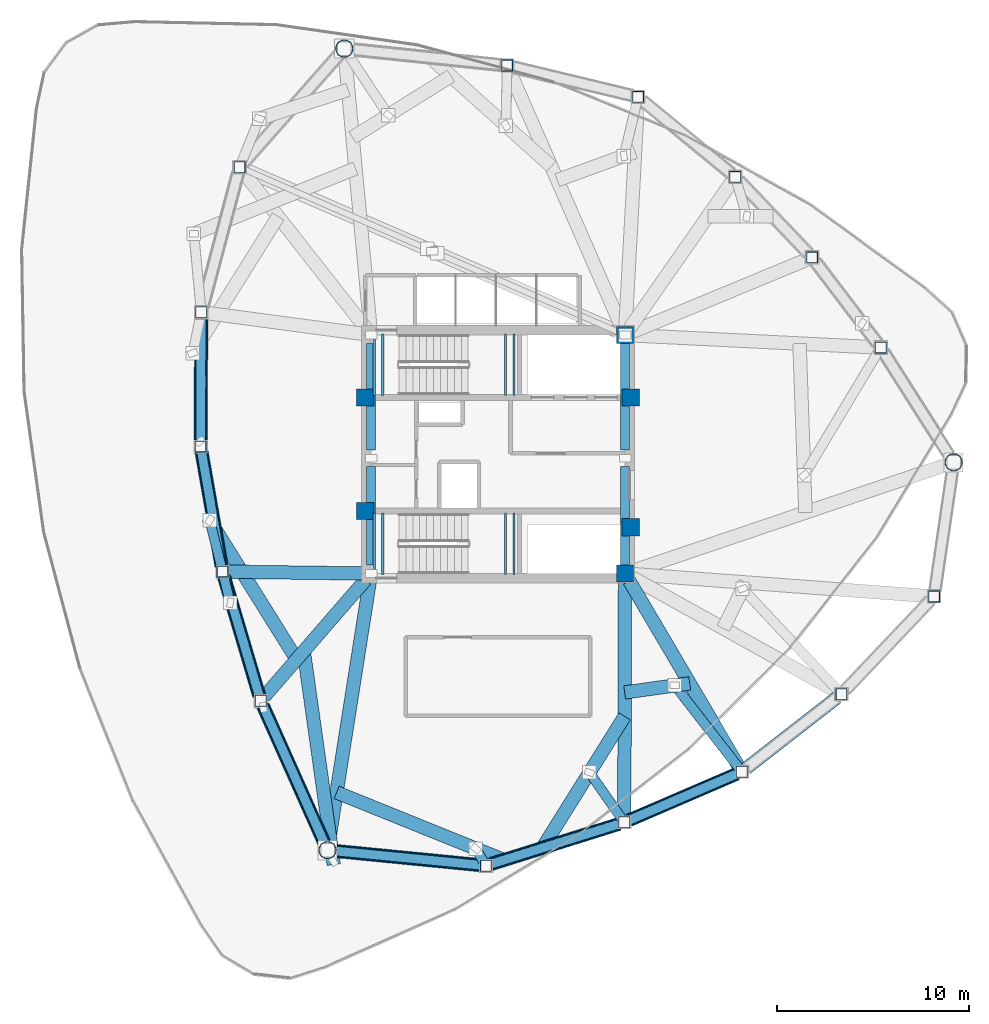
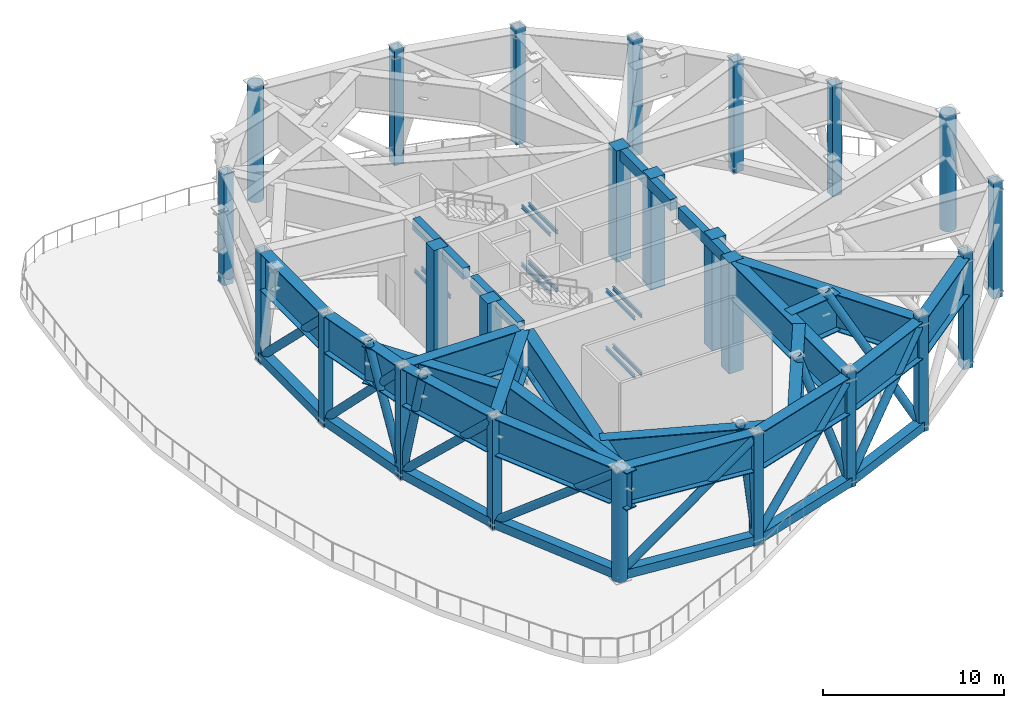
# One storey, part 1 of 8: 34 beams, 24 columns, 19 members.
"""IFC4 building model written with IfcOpenShell, lengths in metres."""

from ifc_helpers import new_model, si_unit, direction, frame, origin, origin_2d, place, context, subcontext, project, spatial, rectangle, hollow_rectangle, hollow_circle, i_section, extrude, material, material_profile, profile_set, type_object, element, save


model = new_model("IFC4")

# Units and contexts
model_context = context("Model", 3, precision=1e-05, world=origin(), true_north=direction((0.0, 1.0)))
body_context = subcontext(model_context, "Body", "Model", "MODEL_VIEW")
ifc_project = project(units=[si_unit("LENGTHUNIT", "METRE"), si_unit("AREAUNIT", "SQUARE_METRE"), si_unit("VOLUMEUNIT", "CUBIC_METRE"), si_unit("PLANEANGLEUNIT", "RADIAN"), si_unit("MASSUNIT", "GRAM", prefix="KILO")], contexts=[model_context])

# Site, building, storey
site_placement = place(None, origin())
site = spatial("IfcSite", under=ifc_project, at=site_placement, CompositionType="ELEMENT")
building_placement = place(site_placement, origin())
building = spatial("IfcBuilding", under=site, at=building_placement, Name="Tavelor Broadcast Tower", CompositionType="ELEMENT")
storey_placement = place(building_placement, frame((0.0, 0.0, 209.14990234375)))
storey = spatial("IfcBuildingStorey", under=building, at=storey_placement, Name="L50", CompositionType="ELEMENT", Elevation=209.14990234375)

# Columns
ifc_material_1 = material(Name="Concrete C50/60", Category="concrete")
ifc_material_profile_1 = material_profile(ifc_material_1, rectangle(XDim=0.89990234375, YDim=0.89990234375, at=origin_2d()), Name="RC 900x900")
ifc_profile_set_1 = profile_set([ifc_material_profile_1], Name="Concrete C50/60")
column_type_1 = type_object("IfcColumnType", Name="Core Embedded Composite Column RC900", PredefinedType="COLUMN", material=ifc_profile_set_1)
for number, where, z_axis, x_axis, name in (
    (1, (43.10009765625, 47.949951171875, 0.0), (0.0, 0.0, 1.0), (1.0, 0.0, 0.0), "L50 Core Embedded Column 1"),
    (2, (56.89990234375, 47.949951171875, 0.0), (0.0, 0.0, 1.0), (1.0, 0.0, 0.0), "L50 Core Embedded Column 2"),
    (3, (56.60009765625, 51.199951171875, 0.0), (0.0, 0.0, 1.0), (1.0, 0.0, 0.0), "L50 Core Embedded Column 3"),
    (4, (43.10009765625, 42.050048828125, 0.0), (0.0, 0.0, 1.0), (1.0, 0.0, 0.0), "L50 Core Embedded Column 4"),
    (5, (56.89990234375, 41.199951171875, 0.0), (0.0, 0.0, 1.0), (1.0, 0.0, 0.0), "L50 Core Embedded Column 5"),
    (6, (56.60009765625, 38.800048828125, 0.0), (0.0, 0.0, 1.0), (1.0, 0.0, 0.0), "L50 Core Embedded Column 6"),
):
    element("IfcColumn", number, at=place(storey_placement, frame(where, z_axis=z_axis, x_axis=x_axis)), inside=storey, type_object=column_type_1, Name=name, PredefinedType="COLUMN", context=body_context, shape_type="SweptSolid", body=[
        extrude(rectangle(XDim=0.89990234375, YDim=0.89990234375, at=origin_2d()), origin(), (0.0, 0.0, 1.0), 7.5),
    ])
ifc_material_2 = material(Name="Steel S460", Category="steel")
ifc_material_profile_2 = material_profile(ifc_material_2, hollow_rectangle(XDim=0.60009765625, YDim=0.60009765625, WallThickness=0.035888671875, at=origin_2d()), Name="SHS 600x600x36")
ifc_profile_set_2 = profile_set([ifc_material_profile_2], Name="Steel S460")
column_type_2 = type_object("IfcColumnType", Name="Perimeter Tube Column T4 SHS 600x600x36", PredefinedType="COLUMN", material=ifc_profile_set_2)
for number, where, z_axis, x_axis, name in (
    (7, (36.567626953125, 59.91064453125, 0.0), (0.0, 0.0, 1.0), (1.0, 0.0, 0.0), "L50 Perimeter Framed-Tube Column 02"),
    (8, (34.5751953125, 52.37939453125, 0.0), (0.0, 0.0, 1.0), (1.0, 0.0, 0.0), "L50 Perimeter Framed-Tube Column 03"),
    (9, (34.54638671875, 45.399169921875, 0.0), (0.0, 0.0, 1.0), (1.0, 0.0, 0.0), "L50 Perimeter Framed-Tube Column 04"),
    (10, (35.680908203125, 38.89990234375, 0.0), (0.0, 0.0, 1.0), (1.0, 0.0, 0.0), "L50 Perimeter Framed-Tube Column 05"),
    (11, (37.668212890625, 32.1904296875, 0.0), (0.0, 0.0, 1.0), (1.0, 0.0, 0.0), "L50 Perimeter Framed-Tube Column 06"),
    (12, (49.366455078125, 23.618896484375, 0.0), (0.0, 0.0, 1.0), (1.0, 0.0, 0.0), "L50 Perimeter Framed-Tube Column 08"),
):
    element("IfcColumn", number, at=place(storey_placement, frame(where, z_axis=z_axis, x_axis=x_axis)), inside=storey, type_object=column_type_2, Name=name, PredefinedType="COLUMN", context=body_context, shape_type="SweptSolid", body=[
        extrude(hollow_rectangle(XDim=0.60009765625, YDim=0.60009765625, WallThickness=0.035888671875, at=origin_2d()), origin(), (0.0, 0.0, 1.0), 7.5),
    ])
for number, where, z_axis, x_axis, name in (
    (13, (56.56103515625, 25.872802734375, 0.0), (0.0, 0.0, 1.0), (1.0, 0.0, 0.0), "L50 Perimeter Framed-Tube Column 09"),
    (14, (62.669189453125, 28.503173828125, 0.0), (0.0, 0.0, 1.0), (1.0, 0.0, 0.0), "L50 Perimeter Framed-Tube Column 10"),
    (15, (67.84228515625, 32.53173828125, 0.0), (0.0, 0.0, 1.0), (1.0, 0.0, 0.0), "L50 Perimeter Framed-Tube Column 11"),
    (16, (72.6591796875, 37.607421875, 0.0), (0.0, 0.0, 1.0), (1.0, 0.0, 0.0), "L50 Perimeter Framed-Tube Column 12"),
):
    element("IfcColumn", number, at=place(storey_placement, frame(where, z_axis=z_axis, x_axis=x_axis)), inside=storey, type_object=column_type_2, Name=name, PredefinedType="COLUMN", context=body_context, shape_type="SweptSolid", body=[
        extrude(hollow_rectangle(XDim=0.60009765625, YDim=0.60009765625, WallThickness=0.035888671875, at=origin_2d()), origin(), (0.0, 0.0, 1.0), 7.800048828125),
    ])
for number, where, z_axis, x_axis, name in (
    (17, (69.885986328125, 50.544189453125, 0.0), (0.0, 0.0, 1.0), (1.0, 0.0, 0.0), "L50 Perimeter Framed-Tube Column 14"),
    (18, (66.322021484375, 55.228759765625, 0.0), (0.0, 0.0, 1.0), (1.0, 0.0, 0.0), "L50 Perimeter Framed-Tube Column 15"),
):
    element("IfcColumn", number, at=place(storey_placement, frame(where, z_axis=z_axis, x_axis=x_axis)), inside=storey, type_object=column_type_2, Name=name, PredefinedType="COLUMN", context=body_context, shape_type="SweptSolid", body=[
        extrude(hollow_rectangle(XDim=0.60009765625, YDim=0.60009765625, WallThickness=0.035888671875, at=origin_2d()), origin(), (0.0, 0.0, 1.0), 7.5),
    ])
for number, where, z_axis, x_axis, name in (
    (19, (62.330810546875, 59.416259765625, 0.0), (0.0, 0.0, 1.0), (1.0, 0.0, 0.0), "L50 Perimeter Framed-Tube Column 16"),
    (20, (57.276611328125, 63.568359375, 0.0), (0.0, 0.0, 1.0), (1.0, 0.0, 0.0), "L50 Perimeter Framed-Tube Column 17"),
    (21, (50.472412109375, 65.2021484375, 0.0), (0.0, 0.0, 1.0), (1.0, 0.0, 0.0), "L50 Perimeter Framed-Tube Column 18"),
):
    element("IfcColumn", number, at=place(storey_placement, frame(where, z_axis=z_axis, x_axis=x_axis)), inside=storey, type_object=column_type_2, Name=name, PredefinedType="COLUMN", context=body_context, shape_type="SweptSolid", body=[
        extrude(hollow_rectangle(XDim=0.60009765625, YDim=0.60009765625, WallThickness=0.035888671875, at=origin_2d()), origin(), (0.0, 0.0, 1.0), 7.800048828125),
    ])
ifc_material_profile_3 = material_profile(ifc_material_2, hollow_circle(Radius=0.45703125, WallThickness=0.0400390625, at=origin_2d()), Name="CHS 914x40")
ifc_profile_set_3 = profile_set([ifc_material_profile_3], Name="Steel S460")
column_type_3 = type_object("IfcColumnType", Name="Tower Mega Column T4 CHS 914x40", PredefinedType="COLUMN", material=ifc_profile_set_3)
column_1_placement = place(storey_placement, frame((42.01123046875, 66.080078125, 0.0), z_axis=(0.0, 0.0, 1.0), x_axis=(1.0, 0.0, 0.0)))
element("IfcColumn", 22, at=column_1_placement, inside=storey, type_object=column_type_3, Name="L50 Tower Corner Mega Column 01", PredefinedType="COLUMN", context=body_context, shape_type="SweptSolid", body=[
    extrude(hollow_circle(Radius=0.45703125, WallThickness=0.0400390625, at=origin_2d()), origin(), (0.0, 0.0, 1.0), 7.800048828125),
])
column_2_placement = place(storey_placement, frame((41.138671875, 24.423828125, 0.0), z_axis=(0.0, 0.0, 1.0), x_axis=(1.0, 0.0, 0.0)))
element("IfcColumn", 23, at=column_2_placement, inside=storey, type_object=column_type_3, Name="L50 Tower Corner Mega Column 07", PredefinedType="COLUMN", context=body_context, shape_type="SweptSolid", body=[
    extrude(hollow_circle(Radius=0.45703125, WallThickness=0.0400390625, at=origin_2d()), origin(), (0.0, 0.0, 1.0), 7.5),
])
column_3_placement = place(storey_placement, frame((73.676025390625, 44.57958984375, 0.0), z_axis=(0.0, 0.0, 1.0), x_axis=(1.0, 0.0, 0.0)))
element("IfcColumn", 24, at=column_3_placement, inside=storey, type_object=column_type_3, Name="L50 Tower Corner Mega Column 13", PredefinedType="COLUMN", context=body_context, shape_type="SweptSolid", body=[
    extrude(hollow_circle(Radius=0.45703125, WallThickness=0.0400390625, at=origin_2d()), origin(), (0.0, 0.0, 1.0), 7.800048828125),
])

# Beams
ifc_material_3 = material(Name="Concrete C40/50", Category="concrete")
ifc_material_profile_4 = material_profile(ifc_material_3, rectangle(XDim=0.449951171875, YDim=0.75, at=origin_2d()), Name="RC 450x750")
ifc_profile_set_4 = profile_set([ifc_material_profile_4], Name="Concrete C40/50")
beam_type_1 = type_object("IfcBeamType", Name="Basement Core Trim Beam 450x750", PredefinedType="BEAM", material=ifc_profile_set_4)
for number, where, z_axis, x_axis, name in (
    (25, (43.39990234375, 45.23193359375, 7.125), (0.0, 1.0, 0.0), (-1.0, 0.0, 0.0), "L50 Core West-N Tie Girder"),
    (26, (56.60009765625, 45.23193359375, 7.125), (0.0, 1.0, 0.0), (-1.0, 0.0, 0.0), "L50 Core East-N Tie Girder"),
):
    element("IfcBeam", number, at=place(storey_placement, frame(where, z_axis=z_axis, x_axis=x_axis)), inside=storey, type_object=beam_type_1, Name=name, PredefinedType="BEAM", context=body_context, shape_type="SweptSolid", body=[
        extrude(rectangle(XDim=0.449951171875, YDim=0.75, at=origin_2d()), origin(), (0.0, 0.0, 1.0), 5.5361328125),
    ])
for number, where, z_axis, x_axis, name in (
    (27, (43.39990234375, 39.23193359375, 7.125), (0.0, 1.0, 0.0), (-1.0, 0.0, 0.0), "L50 Core West-S Tie Girder"),
    (28, (56.60009765625, 39.23193359375, 7.125), (0.0, 1.0, 0.0), (-1.0, 0.0, 0.0), "L50 Core East-S Tie Girder"),
):
    element("IfcBeam", number, at=place(storey_placement, frame(where, z_axis=z_axis, x_axis=x_axis)), inside=storey, type_object=beam_type_1, Name=name, PredefinedType="BEAM", context=body_context, shape_type="SweptSolid", body=[
        extrude(rectangle(XDim=0.449951171875, YDim=0.75, at=origin_2d()), origin(), (0.0, 0.0, 1.0), 5.135986328125),
    ])
ifc_material_profile_5 = material_profile(ifc_material_2, i_section(OverallWidth=0.699951171875, OverallDepth=2.5, WebThickness=0.031982421875, FlangeThickness=0.052001953125, at=origin_2d()), Name="PG 2500x700")
ifc_profile_set_5 = profile_set([ifc_material_profile_5], Name="Steel S460")
beam_type_2 = type_object("IfcBeamType", Name="Opposite Slide Transfer Girder HEB900", PredefinedType="BEAM", material=ifc_profile_set_5)
beam_1_placement = place(storey_placement, frame((34.573974609375, 52.09130859375, 6.25), z_axis=(-0.004117073981, -0.999991524815, 0.0), x_axis=(0.999991524815, -0.004117073981, 0.0)))
element("IfcBeam", 29, at=beam_1_placement, inside=storey, type_object=beam_type_2, Name="L50 Framed-Tube Ring Spandrel 03", PredefinedType="BEAM", context=body_context, shape_type="SweptSolid", body=[
    extrude(i_section(OverallWidth=0.699951171875, OverallDepth=2.5, WebThickness=0.031982421875, FlangeThickness=0.052001953125, at=origin_2d()), origin(), (0.0, 0.0, 1.0), 6.404296875),
])
beam_2_placement = place(storey_placement, frame((34.595947265625, 45.115478515625, 6.25), z_axis=(0.171987908601, -0.985099060651, 0.0), x_axis=(0.985099060651, 0.171987908601, 0.0)))
element("IfcBeam", 30, at=beam_2_placement, inside=storey, type_object=beam_type_2, Name="L50 Framed-Tube Ring Spandrel 04", PredefinedType="BEAM", context=body_context, shape_type="SweptSolid", body=[
    extrude(i_section(OverallWidth=0.699951171875, OverallDepth=2.5, WebThickness=0.031982421875, FlangeThickness=0.052001953125, at=origin_2d()), origin(), (0.0, 0.0, 1.0), 6.021728515625),
])
beam_3_placement = place(storey_placement, frame((35.7626953125, 38.623779296875, 6.25), z_axis=(0.283962764381, -0.958835308301, 0.0), x_axis=(0.958835308301, 0.283962764381, 0.0)))
element("IfcBeam", 31, at=beam_3_placement, inside=storey, type_object=beam_type_2, Name="L50 Framed-Tube Ring Spandrel 05", PredefinedType="BEAM", context=body_context, shape_type="SweptSolid", body=[
    extrude(i_section(OverallWidth=0.699951171875, OverallDepth=2.5, WebThickness=0.031982421875, FlangeThickness=0.052001953125, at=origin_2d()), origin(), (0.0, 0.0, 1.0), 6.421630859375),
])
beam_4_placement = place(storey_placement, frame((37.78564453125, 31.927490234375, 6.25), z_axis=(0.407969002466, -0.912995779304, 0.0), x_axis=(0.912995779304, 0.407969002466, 0.0)))
element("IfcBeam", 32, at=beam_4_placement, inside=storey, type_object=beam_type_2, Name="L50 Framed-Tube Ring Spandrel 06", PredefinedType="BEAM", context=body_context, shape_type="SweptSolid", body=[
    extrude(i_section(OverallWidth=0.699951171875, OverallDepth=2.5, WebThickness=0.031982421875, FlangeThickness=0.052001953125, at=origin_2d()), origin(), (0.0, 0.0, 1.0), 7.7802734375),
])
beam_5_placement = place(storey_placement, frame((41.5751953125, 24.381103515625, 6.25), z_axis=(0.995249339376, -0.097358884918, 0.0), x_axis=(0.097358884918, 0.995249339376, 0.0)))
element("IfcBeam", 33, at=beam_5_placement, inside=storey, type_object=beam_type_2, Name="L50 Framed-Tube Ring Spandrel 07", PredefinedType="BEAM", context=body_context, shape_type="SweptSolid", body=[
    extrude(i_section(OverallWidth=0.699951171875, OverallDepth=2.5, WebThickness=0.031982421875, FlangeThickness=0.052001953125, at=origin_2d()), origin(), (0.0, 0.0, 1.0), 7.54052734375),
])
beam_6_placement = place(storey_placement, frame((49.641357421875, 23.705078125, 6.25), z_axis=(0.954273247332, 0.298935727918, 0.0), x_axis=(-0.298935727918, 0.954273247332, 0.0)))
element("IfcBeam", 34, at=beam_6_placement, inside=storey, type_object=beam_type_2, Name="L50 Framed-Tube Ring Spandrel 08", PredefinedType="BEAM", context=body_context, shape_type="SweptSolid", body=[
    extrude(i_section(OverallWidth=0.699951171875, OverallDepth=2.5, WebThickness=0.031982421875, FlangeThickness=0.052001953125, at=origin_2d()), origin(), (0.0, 0.0, 1.0), 6.963134765625),
])
beam_7_placement = place(storey_placement, frame((56.825439453125, 25.98681640625, 6.25), z_axis=(0.91846180915, 0.395509677672, 0.0), x_axis=(-0.395509677672, 0.91846180915, 0.0)))
element("IfcBeam", 35, at=beam_7_placement, inside=storey, type_object=beam_type_2, Name="L50 Framed-Tube Ring Spandrel 09", PredefinedType="BEAM", context=body_context, shape_type="SweptSolid", body=[
    extrude(i_section(OverallWidth=0.699951171875, OverallDepth=2.5, WebThickness=0.031982421875, FlangeThickness=0.052001953125, at=origin_2d()), origin(), (0.0, 0.0, 1.0), 6.07470703125),
])
beam_8_placement = place(storey_placement, frame((62.896484375, 28.68017578125, 6.25), z_axis=(0.788978387361, 0.614420950389, 0.0), x_axis=(-0.614420950389, 0.788978387361, 0.0)))
element("IfcBeam", 36, at=beam_8_placement, inside=storey, type_object=beam_type_2, Name="L50 Framed-Tube Ring Spandrel 10", PredefinedType="BEAM", context=body_context, shape_type="SweptSolid", body=[
    extrude(i_section(OverallWidth=0.699951171875, OverallDepth=2.5, WebThickness=0.031982421875, FlangeThickness=0.052001953125, at=origin_2d()), origin(), (0.0, 0.0, 1.0), 5.98046875),
])
beam_9_placement = place(storey_placement, frame((42.968017578125, 38.8056640625, 6.25), z_axis=(-0.99991627243, 0.012940175006, 0.0), x_axis=(-0.012940175006, -0.99991627243, 0.0)))
element("IfcBeam", 37, at=beam_9_placement, inside=storey, type_object=beam_type_2, Name="L50 Radial Primary Floor Girder 05", PredefinedType="BEAM", context=body_context, shape_type="SweptSolid", body=[
    extrude(i_section(OverallWidth=0.699951171875, OverallDepth=2.5, WebThickness=0.031982421875, FlangeThickness=0.052001953125, at=origin_2d()), origin(), (0.0, 0.0, 1.0), 6.99951171875),
])
beam_10_placement = place(storey_placement, frame((43.116943359375, 38.4736328125, 6.25), z_axis=(-0.655167826376, -0.755483367972, 0.0), x_axis=(0.755483367972, -0.655167826376, 0.0)))
element("IfcBeam", 38, at=beam_10_placement, inside=storey, type_object=beam_type_2, Name="L50 Radial Primary Floor Girder 06", PredefinedType="BEAM", context=body_context, shape_type="SweptSolid", body=[
    extrude(i_section(OverallWidth=0.699951171875, OverallDepth=2.5, WebThickness=0.031982421875, FlangeThickness=0.052001953125, at=origin_2d()), origin(), (0.0, 0.0, 1.0), 8.02880859375),
])
beam_11_placement = place(storey_placement, frame((43.3330078125, 38.373291015625, 6.25), z_axis=(-0.15539903111, -0.987851780952, 0.0), x_axis=(0.987851780952, -0.15539903111, 0.0)))
element("IfcBeam", 39, at=beam_11_placement, inside=storey, type_object=beam_type_2, Name="L50 Radial Primary Floor Girder 07", PredefinedType="BEAM", context=body_context, shape_type="SweptSolid", body=[
    extrude(i_section(OverallWidth=0.699951171875, OverallDepth=2.5, WebThickness=0.031982421875, FlangeThickness=0.052001953125, at=origin_2d()), origin(), (0.0, 0.0, 1.0), 13.682373046875),
])
beam_12_placement = place(storey_placement, frame((56.5986328125, 38.367919921875, 6.25), z_axis=(-0.0029999865, -0.99999550003, 0.0), x_axis=(0.99999550003, -0.0029999865, 0.0)))
element("IfcBeam", 40, at=beam_12_placement, inside=storey, type_object=beam_type_2, Name="L50 Radial Primary Floor Girder 09", PredefinedType="BEAM", context=body_context, shape_type="SweptSolid", body=[
    extrude(i_section(OverallWidth=0.699951171875, OverallDepth=2.5, WebThickness=0.031982421875, FlangeThickness=0.052001953125, at=origin_2d()), origin(), (0.0, 0.0, 1.0), 12.20703125),
])
beam_13_placement = place(storey_placement, frame((56.8193359375, 38.427734375, 6.25), z_axis=(0.50778362975, -0.861484640233, 0.0), x_axis=(0.861484640233, 0.50778362975, 0.0)))
element("IfcBeam", 41, at=beam_13_placement, inside=storey, type_object=beam_type_2, Name="L50 Radial Primary Floor Girder 10", PredefinedType="BEAM", context=body_context, shape_type="SweptSolid", body=[
    extrude(i_section(OverallWidth=0.699951171875, OverallDepth=2.5, WebThickness=0.031982421875, FlangeThickness=0.052001953125, at=origin_2d()), origin(), (0.0, 0.0, 1.0), 11.232421875),
])
beam_14_placement = place(storey_placement, frame((39.53271484375, 34.34033203125, 6.25), z_axis=(-0.529915676433, 0.848050338052, 0.0), x_axis=(-0.848050338052, -0.529915676433, 0.0)))
element("IfcBeam", 42, at=beam_14_placement, inside=storey, type_object=beam_type_2, Name="L50 Cantilever Transfer Girder 04", PredefinedType="BEAM", context=body_context, shape_type="SweptSolid", body=[
    extrude(i_section(OverallWidth=0.699951171875, OverallDepth=2.5, WebThickness=0.031982421875, FlangeThickness=0.052001953125, at=origin_2d()), origin(), (0.0, 0.0, 1.0), 8.69775390625),
])
beam_15_placement = place(storey_placement, frame((52.302978515625, 24.538818359375, 6.25), z_axis=(0.529909162324, 0.848054408446, 0.0), x_axis=(-0.848054408446, 0.529909162324, 0.0)))
element("IfcBeam", 43, at=beam_15_placement, inside=storey, type_object=beam_type_2, Name="L50 Transfer Header Girder 09", PredefinedType="BEAM", context=body_context, shape_type="SweptSolid", body=[
    extrude(i_section(OverallWidth=0.699951171875, OverallDepth=2.5, WebThickness=0.031982421875, FlangeThickness=0.052001953125, at=origin_2d()), origin(), (0.0, 0.0, 1.0), 8.06689453125),
])
beam_16_placement = place(storey_placement, frame((56.581298828125, 32.6201171875, 6.25), z_axis=(0.990271517782, 0.139148557557, 0.0), x_axis=(-0.139148557557, 0.990271517782, 0.0)))
element("IfcBeam", 44, at=beam_16_placement, inside=storey, type_object=beam_type_2, Name="L50 Transfer Header Girder 10", PredefinedType="BEAM", context=body_context, shape_type="SweptSolid", body=[
    extrude(i_section(OverallWidth=0.699951171875, OverallDepth=2.5, WebThickness=0.031982421875, FlangeThickness=0.052001953125, at=origin_2d()), origin(), (0.0, 0.0, 1.0), 3.414306640625),
])
ifc_material_profile_6 = material_profile(ifc_material_2, i_section(OverallWidth=0.699951171875, OverallDepth=2.5, WebThickness=0.031982421875, FlangeThickness=0.052001953125, at=origin_2d()), Name="PG 2500x700")
ifc_profile_set_6 = profile_set([ifc_material_profile_6], Name="Steel S460")
beam_type_3 = type_object("IfcBeamType", Name="Podium Studio Transfer Truss Chord HEB1000", PredefinedType="BEAM", material=ifc_profile_set_6)
beam_17_placement = place(storey_placement, frame((39.906005859375, 34.77099609375, 6.25), z_axis=(0.139169696805, -0.990268547158, 0.0), x_axis=(0.990268547158, 0.139169696805, 0.0)))
element("IfcBeam", 45, at=beam_17_placement, inside=storey, type_object=beam_type_3, Name="L50 Cantilever Transfer Girder 07", PredefinedType="BEAM", context=body_context, shape_type="SweptSolid", body=[
    extrude(i_section(OverallWidth=0.699951171875, OverallDepth=2.5, WebThickness=0.031982421875, FlangeThickness=0.052001953125, at=origin_2d()), origin(), (0.0, 0.0, 1.0), 11.20458984375),
])
beam_18_placement = place(storey_placement, frame((50.307373046875, 23.913818359375, 6.25), z_axis=(-0.927187598967, 0.374597325568, 0.0), x_axis=(-0.374597325568, -0.927187598967, 0.0)))
element("IfcBeam", 46, at=beam_18_placement, inside=storey, type_object=beam_type_3, Name="L50 Transfer Header Girder 08", PredefinedType="BEAM", context=body_context, shape_type="SweptSolid", body=[
    extrude(i_section(OverallWidth=0.699951171875, OverallDepth=2.5, WebThickness=0.031982421875, FlangeThickness=0.052001953125, at=origin_2d()), origin(), (0.0, 0.0, 1.0), 9.379150390625),
])
ifc_material_4 = material(Name="Steel S355", Category="steel")
ifc_material_profile_7 = material_profile(ifc_material_4, i_section(OverallWidth=0.1201171875, OverallDepth=0.239990234375, WebThickness=0.006103515625, FlangeThickness=0.009765625, at=origin_2d()), Name="IPE 240")
ifc_profile_set_7 = profile_set([ifc_material_profile_7], Name="Steel S355")
beam_type_4 = type_object("IfcBeamType", Name="Stairwell Landing Support Trimmer Beam IPE240", PredefinedType="BEAM", material=ifc_profile_set_7)
for number, where, z_axis, x_axis, name in (
    (47, (50.385009765625, 48.06005859375, 1.635009765625), (0.0, 1.0, 0.0), (-1.0, 0.0, 0.0), "L50 Stair Landing Support Beam 133"),
    (48, (50.824951171875, 48.06005859375, 1.635009765625), (0.0, 1.0, 0.0), (-1.0, 0.0, 0.0), "L50 Stair Landing Support Beam 134"),
    (49, (43.574951171875, 48.06005859375, 3.585205078125), (0.0, 1.0, 0.0), (-1.0, 0.0, 0.0), "L50 Stair Landing Support Beam 135"),
    (50, (44.014892578125, 48.06005859375, 3.585205078125), (0.0, 1.0, 0.0), (-1.0, 0.0, 0.0), "L50 Stair Landing Support Beam 136"),
    (51, (50.385009765625, 48.06005859375, 5.53515625), (0.0, 1.0, 0.0), (-1.0, 0.0, 0.0), "L50 Stair Landing Support Beam 137"),
    (52, (50.824951171875, 48.06005859375, 5.53515625), (0.0, 1.0, 0.0), (-1.0, 0.0, 0.0), "L50 Stair Landing Support Beam 138"),
    (53, (50.385009765625, 38.760009765625, 1.635009765625), (0.0, 1.0, 0.0), (-1.0, 0.0, 0.0), "L50 Stair Landing Support Beam 347"),
    (54, (50.824951171875, 38.760009765625, 1.635009765625), (0.0, 1.0, 0.0), (-1.0, 0.0, 0.0), "L50 Stair Landing Support Beam 348"),
    (55, (43.574951171875, 38.760009765625, 3.585205078125), (0.0, 1.0, 0.0), (-1.0, 0.0, 0.0), "L50 Stair Landing Support Beam 349"),
    (56, (44.014892578125, 38.760009765625, 3.585205078125), (0.0, 1.0, 0.0), (-1.0, 0.0, 0.0), "L50 Stair Landing Support Beam 350"),
    (57, (50.385009765625, 38.760009765625, 5.53515625), (0.0, 1.0, 0.0), (-1.0, 0.0, 0.0), "L50 Stair Landing Support Beam 351"),
    (58, (50.824951171875, 38.760009765625, 5.53515625), (0.0, 1.0, 0.0), (-1.0, 0.0, 0.0), "L50 Stair Landing Support Beam 352"),
):
    element("IfcBeam", number, at=place(storey_placement, frame(where, z_axis=z_axis, x_axis=x_axis)), inside=storey, type_object=beam_type_4, Name=name, PredefinedType="BEAM", context=body_context, shape_type="SweptSolid", body=[
        extrude(i_section(OverallWidth=0.1201171875, OverallDepth=0.239990234375, WebThickness=0.006103515625, FlangeThickness=0.009765625, at=origin_2d()), origin(), (0.0, 0.0, 1.0), 3.179931640625),
    ])

# Members
ifc_material_profile_8 = material_profile(ifc_material_2, hollow_rectangle(XDim=0.60009765625, YDim=0.60009765625, WallThickness=0.035888671875, at=origin_2d()), Name="SHS 600x600x36")
ifc_profile_set_8 = profile_set([ifc_material_profile_8], Name="Steel S460")
member_type_1 = type_object("IfcMemberType", Name="Wind Floor Belt Truss Chord Member SHS600", PredefinedType="CHORD", material=ifc_profile_set_8)
member_1_placement = place(storey_placement, frame((34.5751953125, 52.37939453125, 0.35009765625), z_axis=(-0.004127137737, -0.999991483331, 0.0), x_axis=(0.999991483331, -0.004127137737, 0.0)))
element("IfcMember", 59, at=member_1_placement, inside=storey, type_object=member_type_1, Name="L50 Belt Truss Lower Chord Member 03", PredefinedType="CHORD", context=body_context, shape_type="SweptSolid", body=[
    extrude(hollow_rectangle(XDim=0.60009765625, YDim=0.60009765625, WallThickness=0.035888671875, at=origin_2d()), origin(), (0.0, 0.0, 1.0), 6.980224609375),
])
member_2_placement = place(storey_placement, frame((34.54638671875, 45.399169921875, 0.35009765625), z_axis=(0.17196112334, -0.9851037367, 0.0), x_axis=(0.9851037367, 0.17196112334, 0.0)))
element("IfcMember", 60, at=member_2_placement, inside=storey, type_object=member_type_1, Name="L50 Belt Truss Lower Chord Member 04", PredefinedType="CHORD", context=body_context, shape_type="SweptSolid", body=[
    extrude(hollow_rectangle(XDim=0.60009765625, YDim=0.60009765625, WallThickness=0.035888671875, at=origin_2d()), origin(), (0.0, 0.0, 1.0), 6.59765625),
])
member_3_placement = place(storey_placement, frame((35.680908203125, 38.89990234375, 0.35009765625), z_axis=(0.28399804769, -0.958824858307, 0.0), x_axis=(0.958824858307, 0.28399804769, 0.0)))
element("IfcMember", 61, at=member_3_placement, inside=storey, type_object=member_type_1, Name="L50 Belt Truss Lower Chord Member 05", PredefinedType="CHORD", context=body_context, shape_type="SweptSolid", body=[
    extrude(hollow_rectangle(XDim=0.60009765625, YDim=0.60009765625, WallThickness=0.035888671875, at=origin_2d()), origin(), (0.0, 0.0, 1.0), 6.99755859375),
])
member_4_placement = place(storey_placement, frame((37.668212890625, 32.1904296875, 0.35009765625), z_axis=(0.407967039783, -0.912996656319, 0.0), x_axis=(0.912996656319, 0.407967039783, 0.0)))
element("IfcMember", 62, at=member_4_placement, inside=storey, type_object=member_type_1, Name="L50 Belt Truss Lower Chord Member 06", PredefinedType="CHORD", context=body_context, shape_type="SweptSolid", body=[
    extrude(hollow_rectangle(XDim=0.60009765625, YDim=0.60009765625, WallThickness=0.035888671875, at=origin_2d()), origin(), (0.0, 0.0, 1.0), 8.5068359375),
])
member_5_placement = place(storey_placement, frame((41.138671875, 24.423828125, 0.35009765625), z_axis=(0.995248634094, -0.097366094377, 0.0), x_axis=(0.097366094377, 0.995248634094, 0.0)))
element("IfcMember", 63, at=member_5_placement, inside=storey, type_object=member_type_1, Name="L50 Belt Truss Lower Chord Member 07", PredefinedType="CHORD", context=body_context, shape_type="SweptSolid", body=[
    extrude(hollow_rectangle(XDim=0.60009765625, YDim=0.60009765625, WallThickness=0.035888671875, at=origin_2d()), origin(), (0.0, 0.0, 1.0), 8.26708984375),
])
member_6_placement = place(storey_placement, frame((49.366455078125, 23.618896484375, 0.35009765625), z_axis=(0.954268274949, 0.298951600473, 0.0), x_axis=(-0.298951600473, 0.954268274949, 0.0)))
element("IfcMember", 64, at=member_6_placement, inside=storey, type_object=member_type_1, Name="L50 Belt Truss Lower Chord Member 08", PredefinedType="CHORD", context=body_context, shape_type="SweptSolid", body=[
    extrude(hollow_rectangle(XDim=0.60009765625, YDim=0.60009765625, WallThickness=0.035888671875, at=origin_2d()), origin(), (0.0, 0.0, 1.0), 7.539306640625),
])
member_7_placement = place(storey_placement, frame((56.56103515625, 25.872802734375, 0.35009765625), z_axis=(0.918458166123, 0.395518137488, 0.0), x_axis=(-0.395518137488, 0.918458166123, 0.0)))
element("IfcMember", 65, at=member_7_placement, inside=storey, type_object=member_type_1, Name="L50 Belt Truss Lower Chord Member 09", PredefinedType="CHORD", context=body_context, shape_type="SweptSolid", body=[
    extrude(hollow_rectangle(XDim=0.60009765625, YDim=0.60009765625, WallThickness=0.035888671875, at=origin_2d()), origin(), (0.0, 0.0, 1.0), 6.650390625),
])
ifc_material_profile_9 = material_profile(ifc_material_2, hollow_circle(Radius=0.25390625, WallThickness=0.02490234375, at=origin_2d()), Name="CHS 508x25")
ifc_profile_set_9 = profile_set([ifc_material_profile_9], Name="Steel S460")
member_type_2 = type_object("IfcMemberType", Name="Wind Floor Belt Truss Diagonal CHS508", PredefinedType="BRACE", material=ifc_profile_set_9)
member_8_placement = place(storey_placement, frame((34.5751953125, 52.37939453125, 0.35009765625), z_axis=(-0.002945667009, -0.713725131077, 0.700419702975), x_axis=(0.999991483331, -0.004127137737, 0.0)))
element("IfcMember", 66, at=member_8_placement, inside=storey, type_object=member_type_2, Name="L50 Belt Truss Web Diagonal 03", PredefinedType="BRACE", context=body_context, shape_type="SweptSolid", body=[
    extrude(hollow_circle(Radius=0.25390625, WallThickness=0.02490234375, at=origin_2d()), origin(), (0.0, 0.0, 1.0), 9.780029296875),
])
member_9_placement = place(storey_placement, frame((34.54638671875, 45.399169921875, 0.35009765625), z_axis=(0.11929024858, -0.683371144274, 0.720259478083), x_axis=(0.9851037367, 0.17196112334, 0.0)))
element("IfcMember", 67, at=member_9_placement, inside=storey, type_object=member_type_2, Name="L50 Belt Truss Web Diagonal 04", PredefinedType="BRACE", context=body_context, shape_type="SweptSolid", body=[
    extrude(hollow_circle(Radius=0.25390625, WallThickness=0.02490234375, at=origin_2d()), origin(), (0.0, 0.0, 1.0), 9.510498046875),
])
member_10_placement = place(storey_placement, frame((35.680908203125, 38.89990234375, 0.35009765625), z_axis=(0.202944483891, -0.685174484801, 0.699535175553), x_axis=(0.958824858307, 0.28399804769, 0.0)))
element("IfcMember", 68, at=member_10_placement, inside=storey, type_object=member_type_2, Name="L50 Belt Truss Web Diagonal 05", PredefinedType="BRACE", context=body_context, shape_type="SweptSolid", body=[
    extrude(hollow_circle(Radius=0.25390625, WallThickness=0.02490234375, at=origin_2d()), origin(), (0.0, 0.0, 1.0), 9.792236328125),
])
member_11_placement = place(storey_placement, frame((37.668212890625, 32.1904296875, 0.35009765625), z_axis=(0.317752147997, -0.711103153858, 0.627188868696), x_axis=(0.912996656319, 0.407967039783, 0.0)))
element("IfcMember", 69, at=member_11_placement, inside=storey, type_object=member_type_2, Name="L50 Belt Truss Web Diagonal 06", PredefinedType="BRACE", context=body_context, shape_type="SweptSolid", body=[
    extrude(hollow_circle(Radius=0.25390625, WallThickness=0.02490234375, at=origin_2d()), origin(), (0.0, 0.0, 1.0), 10.921875),
])
member_12_placement = place(storey_placement, frame((41.138671875, 24.423828125, 0.35009765625), z_axis=(0.766351729697, -0.074972898514, 0.63803141841), x_axis=(0.097366094377, 0.995248634094, 0.0)))
element("IfcMember", 70, at=member_12_placement, inside=storey, type_object=member_type_2, Name="L50 Belt Truss Web Diagonal 07", PredefinedType="BRACE", context=body_context, shape_type="SweptSolid", body=[
    extrude(hollow_circle(Radius=0.25390625, WallThickness=0.02490234375, at=origin_2d()), origin(), (0.0, 0.0, 1.0), 10.736328125),
])
member_13_placement = place(storey_placement, frame((49.366455078125, 23.618896484375, 0.35009765625), z_axis=(0.70628192713, 0.221262844048, 0.672464566541), x_axis=(-0.298951600473, 0.954268274949, 0.0)))
element("IfcMember", 71, at=member_13_placement, inside=storey, type_object=member_type_2, Name="L50 Belt Truss Web Diagonal 08", PredefinedType="BRACE", context=body_context, shape_type="SweptSolid", body=[
    extrude(hollow_circle(Radius=0.25390625, WallThickness=0.02490234375, at=origin_2d()), origin(), (0.0, 0.0, 1.0), 10.1865234375),
])
member_14_placement = place(storey_placement, frame((56.56103515625, 25.872802734375, 0.35009765625), z_axis=(0.639773620373, 0.275507453771, 0.717485440682), x_axis=(-0.395518137488, 0.918458166123, 0.0)))
element("IfcMember", 72, at=member_14_placement, inside=storey, type_object=member_type_2, Name="L50 Belt Truss Web Diagonal 09", PredefinedType="BRACE", context=body_context, shape_type="SweptSolid", body=[
    extrude(hollow_circle(Radius=0.25390625, WallThickness=0.02490234375, at=origin_2d()), origin(), (0.0, 0.0, 1.0), 9.54736328125),
])
member_15_placement = place(storey_placement, frame((35.680908203125, 38.89990234375, 0.35009765625), z_axis=(-0.083393197209, 0.335540769893, 0.938327217126), x_axis=(-0.970476395923, -0.241196113063, 0.0)))
element("IfcMember", 73, at=member_15_placement, inside=storey, type_object=member_type_2, Name="L50 Slide Transfer Raking Strut 04", PredefinedType="BRACE", context=body_context, shape_type="SweptSolid", body=[
    extrude(hollow_circle(Radius=0.25390625, WallThickness=0.02490234375, at=origin_2d()), origin(), (0.0, 0.0, 1.0), 7.939697265625),
])
member_16_placement = place(storey_placement, frame((35.680908203125, 38.89990234375, 0.35009765625), z_axis=(0.052734913388, -0.211899051611, 0.975867727121), x_axis=(0.970400396561, 0.24150169845, 0.0)))
element("IfcMember", 74, at=member_16_placement, inside=storey, type_object=member_type_2, Name="L50 Slide Transfer Raking Strut 05", PredefinedType="BRACE", context=body_context, shape_type="SweptSolid", body=[
    extrude(hollow_circle(Radius=0.25390625, WallThickness=0.02490234375, at=origin_2d()), origin(), (0.0, 0.0, 1.0), 7.63427734375),
])
member_17_placement = place(storey_placement, frame((49.366455078125, 23.618896484375, 0.35009765625), z_axis=(-0.069470470409, 0.117807634165, 0.990603460055), x_axis=(-0.861384544358, -0.50795341001, 0.0)))
element("IfcMember", 75, at=member_17_placement, inside=storey, type_object=member_type_2, Name="L50 Slide Transfer Raking Strut 08", PredefinedType="BRACE", context=body_context, shape_type="SweptSolid", body=[
    extrude(hollow_circle(Radius=0.25390625, WallThickness=0.02490234375, at=origin_2d()), origin(), (0.0, 0.0, 1.0), 7.5205078125),
])
member_18_placement = place(storey_placement, frame((56.56103515625, 25.872802734375, 0.35009765625), z_axis=(-0.223312554102, 0.319957617038, 0.920738087884), x_axis=(-0.820023138257, -0.572330370261, 0.0)))
element("IfcMember", 76, at=member_18_placement, inside=storey, type_object=member_type_2, Name="L50 Slide Transfer Raking Strut 09", PredefinedType="BRACE", context=body_context, shape_type="SweptSolid", body=[
    extrude(hollow_circle(Radius=0.25390625, WallThickness=0.02490234375, at=origin_2d()), origin(), (0.0, 0.0, 1.0), 8.09130859375),
])
member_19_placement = place(storey_placement, frame((62.669189453125, 28.503173828125, 0.35009765625), z_axis=(-0.371272373546, 0.478813876312, 0.795546413789), x_axis=(-0.790261899021, -0.612769231404, 0.0)))
element("IfcMember", 77, at=member_19_placement, inside=storey, type_object=member_type_2, Name="L50 Slide Transfer Raking Strut 10", PredefinedType="BRACE", context=body_context, shape_type="SweptSolid", body=[
    extrude(hollow_circle(Radius=0.25390625, WallThickness=0.02490234375, at=origin_2d()), origin(), (0.0, 0.0, 1.0), 9.364501953125),
])

save(model, "model.ifc")
